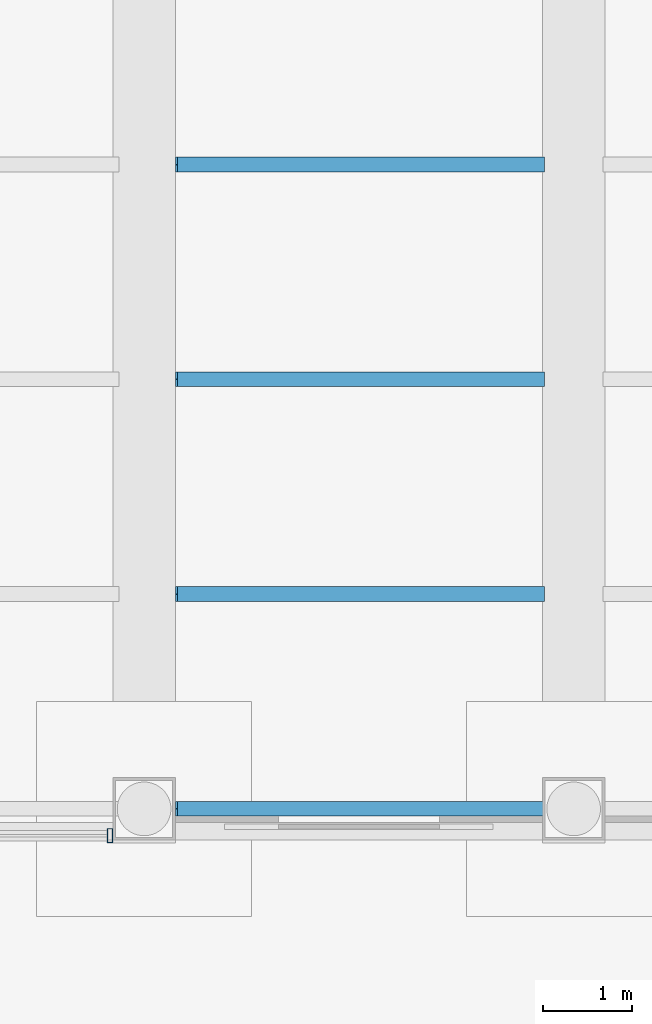
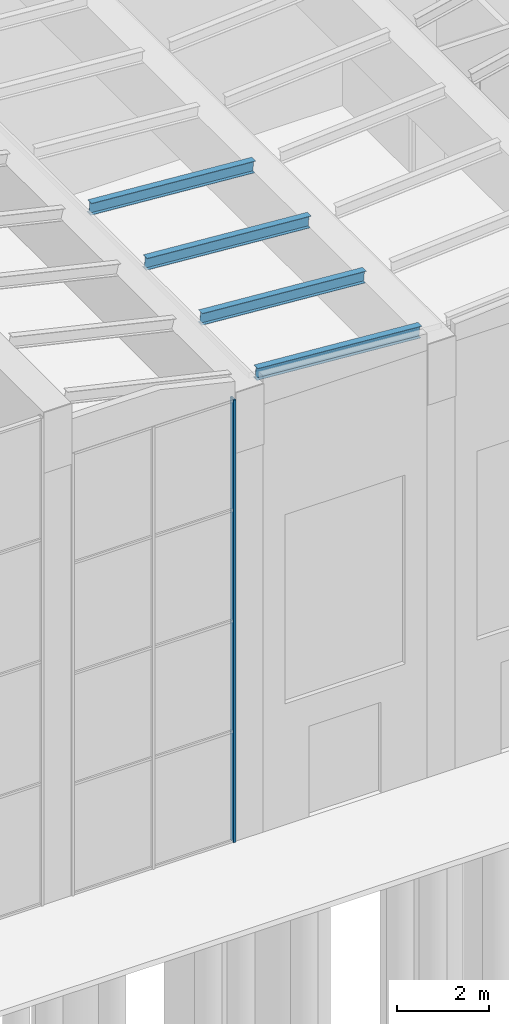
# One storey, part 22 of 58: 4 beams, 1 member, 1 element without a shape of its own.
"""IFC4 building model written with IfcOpenShell, lengths in metres."""

from ifc_helpers import new_model, si_unit, direction, frame, origin, origin_2d, place, context, subcontext, project, spatial, hollow_rectangle, i_section, extrude, material, layer, layer_set, material_profile, profile_set, type_object, element, aggregate, save


model = new_model("IFC4")

# Units and contexts
model_context = context("Model", 3, precision=1e-05, world=origin(), true_north=direction((0.0, 1.0)))
body_context = subcontext(model_context, "Body", "Model", "MODEL_VIEW")
ifc_project = project(units=[si_unit("LENGTHUNIT", "METRE"), si_unit("AREAUNIT", "SQUARE_METRE"), si_unit("VOLUMEUNIT", "CUBIC_METRE"), si_unit("PLANEANGLEUNIT", "RADIAN"), si_unit("MASSUNIT", "GRAM", prefix="KILO")], contexts=[model_context])

# Site, building, storey
site_placement = place(None, origin())
site = spatial("IfcSite", under=ifc_project, at=site_placement, CompositionType="ELEMENT")
building_placement = place(site_placement, origin())
building = spatial("IfcBuilding", under=site, at=building_placement, Name="Baori Bourse Tower", CompositionType="ELEMENT")
storey_placement = place(building_placement, origin())
storey = spatial("IfcBuildingStorey", under=building, at=storey_placement, Name="L00", CompositionType="ELEMENT", Elevation=0.0)

# Beams
ifc_material_1 = material(Name="Steel A992 Gr 50", Category="steel")
ifc_material_profile_1 = material_profile(ifc_material_1, i_section(OverallWidth=0.164794921875, OverallDepth=0.309814453125, WebThickness=0.005859375, FlangeThickness=0.009765625, at=origin_2d()), Name="W12x26")
ifc_profile_set_1 = profile_set([ifc_material_profile_1], Name="Steel A992 Gr 50")
beam_type = type_object("IfcBeamType", Name="Wing beam W12x26", PredefinedType="BEAM", material=ifc_profile_set_1)
for number, where, z_axis, x_axis, name in (
    (1, (24.36181640625, -24.85009765625, 11.930908203125), (0.997134617999, 0.0, -0.075647561682), (0.0, 1.0, 0.0), "wing/L00/purlin/011"),
    (2, (24.36181640625, -22.449951171875, 11.930908203125), (0.997134617999, 0.0, -0.075647561682), (0.0, 1.0, 0.0), "wing/L00/purlin/012"),
    (3, (24.36181640625, -20.050048828125, 11.930908203125), (0.997134617999, 0.0, -0.075647561682), (0.0, 1.0, 0.0), "wing/L00/purlin/013"),
    (4, (24.36181640625, -17.64990234375, 11.930908203125), (0.997134617999, 0.0, -0.075647561682), (0.0, 1.0, 0.0), "wing/L00/purlin/014"),
):
    element("IfcBeam", number, at=place(storey_placement, frame(where, z_axis=z_axis, x_axis=x_axis)), inside=storey, type_object=beam_type, Name=name, PredefinedType="BEAM", context=body_context, shape_type="SweptSolid", body=[
        extrude(i_section(OverallWidth=0.164794921875, OverallDepth=0.309814453125, WebThickness=0.005859375, FlangeThickness=0.009765625, at=origin_2d()), origin(), (0.0, 0.0, 1.0), 4.111572265625),
    ])

# Curtain wall, member
ifc_material_2 = material(Name="Pale anodised aluminium", Category="aluminium")
ifc_layer = layer(ifc_material_2, 0.10009765625)
ifc_layer_set = layer_set([ifc_layer], Name="Wing curtain wall")
curtain_wall_type = type_object("IfcCurtainWallType", Name="Wing curtain wall", PredefinedType="NOTDEFINED", material=ifc_layer_set)
curtain_wall_placement = place(storey_placement, origin())
curtain_wall = element("IfcCurtainWall", 5, at=curtain_wall_placement, inside=storey, type_object=curtain_wall_type, Name="wing/L00/hallcw/004", PredefinedType="NOTDEFINED")
ifc_material_3 = material(Name="Pale anodised aluminium", Category="aluminium")
ifc_material_profile_2 = material_profile(ifc_material_3, hollow_rectangle(XDim=0.159912109375, YDim=0.06005859375, WallThickness=0.0048828125, at=origin_2d()), Name="Mullion 160x60x5")
ifc_profile_set_2 = profile_set([ifc_material_profile_2], Name="Pale anodised aluminium")
member_type = type_object("IfcMemberType", Name="Wing mullion 60x160", PredefinedType="MULLION", material=ifc_profile_set_2)
member_placement = place(storey_placement, frame((23.6201171875, -25.14990234375, 0.0), z_axis=(0.0, 0.0, 1.0), x_axis=(0.0, 1.0, 0.0)))
member = element("IfcMember", 6, at=member_placement, type_object=member_type, Name="X12 mullion 3", PredefinedType="MULLION", context=body_context, shape_type="SweptSolid", body=[
    extrude(hollow_rectangle(XDim=0.159912109375, YDim=0.06005859375, WallThickness=0.0048828125, at=origin_2d()), origin(), (0.0, 0.0, 1.0), 11.699951171875),
])
aggregate(curtain_wall, [member])

save(model, "model.ifc")
